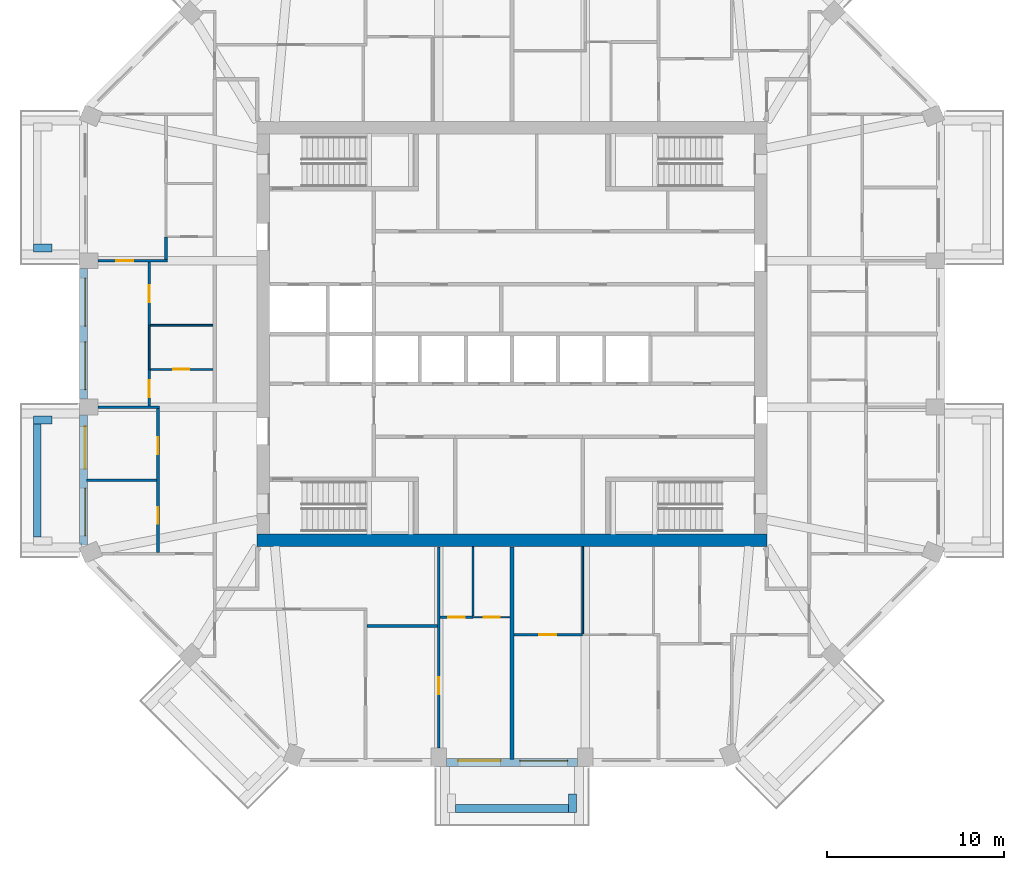
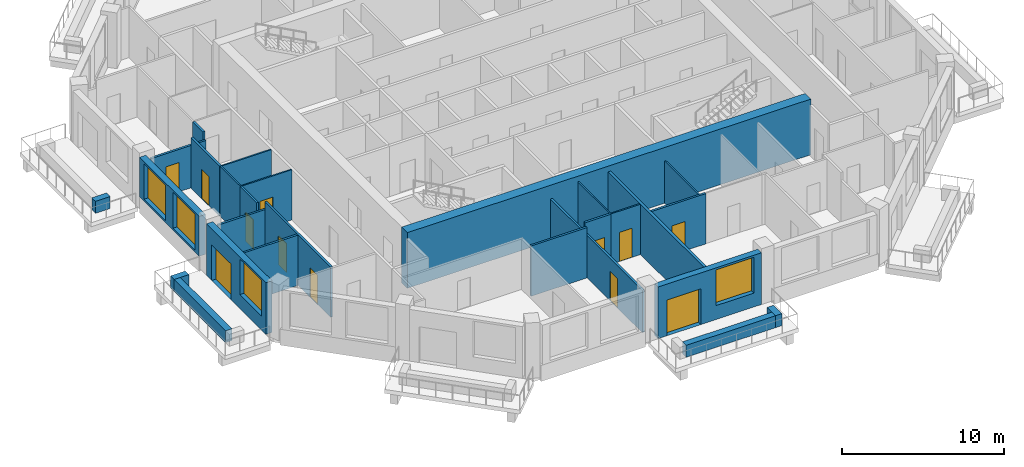
# One storey, part 3 of 12: 27 walls, 12 doors, 4 windows, 16 openings.
"""IFC4 building model written with IfcOpenShell, lengths in metres."""

import ifcopenshell
import ifcopenshell.guid

model = None  # the IFC model being written
_history = None  # IfcOwnerHistory: only IFC2X3 demands one
_inside = {}  # id of a spatial element -> (the spatial element, [elements in it])
_under = {}  # id of a project, library or spatial element -> (it, [spatial elements below it])
_declared = {}  # id of a project -> (the project, [libraries it declares])
_typed = {}  # id of a type object -> (the type object, [elements of that type])
_made_of = {}  # id of a material, layer set ... -> (it, [elements and type objects made of it])


def new_model(schema):
    """Start an empty IFC model of exactly this schema.

    Asked for "IFC4X3", IfcOpenShell would pick the latest addendum, in which some entities
    have other attributes; the version numbers below select the first issue.
    IFC2X3 requires an IfcOwnerHistory on every rooted entity: one is made here for all.
    """
    global model, _history
    if schema == "IFC4X3":
        model = ifcopenshell.file(schema_version=(4, 3, 0, 0))
    else:
        model = ifcopenshell.file(schema=schema)
    _inside.clear()
    _under.clear()
    _declared.clear()
    _typed.clear()
    _made_of.clear()
    _history = None
    if model.schema == "IFC2X3":
        org = make("IfcOrganization", Name="unknown")
        user = make(
            "IfcPersonAndOrganization",
            ThePerson=make("IfcPerson", FamilyName="unknown"),
            TheOrganization=org,
        )
        app = make(
            "IfcApplication",
            ApplicationDeveloper=org,
            Version="unknown",
            ApplicationFullName="unknown",
            ApplicationIdentifier="unknown",
        )
        _history = make(
            "IfcOwnerHistory",
            OwningUser=user,
            OwningApplication=app,
            ChangeAction="ADDED",
            CreationDate=0,
        )
    return model


def make(cls, **values):
    """One entity of the class cls with the attributes given. An attribute that is None is left unset."""
    return model.create_entity(
        cls, **{name: value for name, value in values.items() if value is not None}
    )


def rooted(cls, **values):
    """An entity with a GlobalId (a new one), such as an element, a storey or a relation."""
    return make(cls, GlobalId=ifcopenshell.guid.new(), OwnerHistory=_history, **values)


def si_unit(unit_type, name, prefix=None):
    """IfcSIUnit, for example si_unit("LENGTHUNIT", "METRE", prefix="MILLI")."""
    return make("IfcSIUnit", UnitType=unit_type, Prefix=prefix, Name=name)


def assignment(units):
    """IfcUnitAssignment: the units of a project."""
    return None if units is None else make("IfcUnitAssignment", Units=units)


def point(xyz):
    """IfcCartesianPoint."""
    return None if xyz is None else make("IfcCartesianPoint", Coordinates=xyz)


def direction(xyz):
    """IfcDirection."""
    return None if xyz is None else make("IfcDirection", DirectionRatios=xyz)


def frame(location, z_axis=None, x_axis=None):
    """IfcAxis2Placement3D, a coordinate frame: its origin and axes. An axis left out is left unset."""
    return make(
        "IfcAxis2Placement3D",
        Location=point(location),
        Axis=direction(z_axis),
        RefDirection=direction(x_axis),
    )


def frame_2d(location, x_axis=None):
    """IfcAxis2Placement2D, a coordinate frame in the plane: its origin and x axis."""
    return make(
        "IfcAxis2Placement2D", Location=point(location), RefDirection=direction(x_axis)
    )


def origin():
    """The frame at (0, 0, 0) with its axes left unset."""
    return frame((0.0, 0.0, 0.0))


def place(relative_to, where):
    """IfcLocalPlacement: puts the frame where relative to a parent placement (None: the world)."""
    return make(
        "IfcLocalPlacement", PlacementRelTo=relative_to, RelativePlacement=where
    )


def context(
    kind, dimensions, precision=None, world=None, true_north=None, identifier=None
):
    """IfcGeometricRepresentationContext, for example the 3D "Model" context."""
    return make(
        "IfcGeometricRepresentationContext",
        ContextIdentifier=identifier,
        ContextType=kind,
        CoordinateSpaceDimension=dimensions,
        Precision=precision,
        WorldCoordinateSystem=world,
        TrueNorth=true_north,
    )


def subcontext(parent, identifier, kind, view, scale=None):
    """IfcGeometricRepresentationSubContext, for example "Body" below "Model"."""
    return make(
        "IfcGeometricRepresentationSubContext",
        ContextIdentifier=identifier,
        ContextType=kind,
        ParentContext=parent,
        TargetScale=scale,
        TargetView=view,
    )


def project(units=None, contexts=None):
    """IfcProject with its units and contexts."""
    return rooted(
        "IfcProject",
        Name="project",
        RepresentationContexts=contexts,
        UnitsInContext=assignment(units),
    )


def spatial(cls, under=None, at=None, **own):
    """A site, building, storey or space (cls), placed at a placement, below another one or the project."""
    s = rooted(cls, ObjectPlacement=at, **own)
    if under is not None:
        _under.setdefault(under.id(), (under, []))[1].append(s)
    return s


def profile(cls, at=None, kind="AREA", **sizes):
    """A parametric profile (cls). Its sizes go by their IFC names, for example OverallWidth=200.0."""
    return make(cls, ProfileType=kind, Position=at, **sizes)


def rectangle(**sizes):
    """IfcRectangleProfileDef."""
    return profile("IfcRectangleProfileDef", **sizes)


def extrude(swept, where, along, depth):
    """IfcExtrudedAreaSolid: the profile swept, set in the frame where, extruded along a direction by depth."""
    return make(
        "IfcExtrudedAreaSolid",
        SweptArea=swept,
        Position=where,
        ExtrudedDirection=direction(along),
        Depth=depth,
    )


def shape(context_of_items, identifier, shape_type, items):
    """IfcShapeRepresentation: the items that make up one representation, for example the "Body"."""
    return make(
        "IfcShapeRepresentation",
        ContextOfItems=context_of_items,
        RepresentationIdentifier=identifier,
        RepresentationType=shape_type,
        Items=items,
    )


def material(Name=None, Category=None):
    """IfcMaterial."""
    return make("IfcMaterial", Name=Name, Category=Category)


def layer(
    of_material, thickness, ventilated=None, Name=None, Category=None, Priority=None
):
    """IfcMaterialLayer: one layer of a wall or slab, of a material (None: an air gap)."""
    return make(
        "IfcMaterialLayer",
        Material=of_material,
        LayerThickness=thickness,
        IsVentilated=ventilated,
        Name=Name,
        Category=Category,
        Priority=Priority,
    )


def layer_set(layers, Name=None):
    """IfcMaterialLayerSet."""
    return make("IfcMaterialLayerSet", MaterialLayers=layers, LayerSetName=Name)


def made_of(thing, what):
    """Note that an element or type object is made of a material, layer set ...; save() writes the relation."""
    if what is not None:
        _made_of.setdefault(what.id(), (what, []))[1].append(thing)
    return thing


def type_object(cls, material=None, **own):
    """A type object (cls), such as IfcWallType, which elements share."""
    return made_of(rooted(cls, **own), material)


def element(
    cls,
    number,
    at=None,
    inside=None,
    cuts=None,
    type_object=None,
    material=None,
    context=None,
    identifier="Body",
    shape_type=None,
    held_by="IfcProductDefinitionShape",
    body=None,
    shapes=None,
    **own,
):
    """One element of the class cls, such as IfcWall. Its Tag is "e" and its number.

    at: its placement. inside: the storey or other place that contains it. cuts: it is an
    opening in that element (IfcRelVoidsElement). A single representation is given by context,
    identifier, shape_type and body (its items); several are given by shapes. held_by: the class
    of the entity that holds the representations. save() writes the other relations.
    """
    e = rooted(cls, Tag="e%d" % number, ObjectPlacement=at, **own)
    if body is not None:
        shapes = [shape(context, identifier, shape_type, body)]
    if shapes is not None:
        e.Representation = make(held_by, Representations=shapes)
    if inside is not None:
        _inside.setdefault(inside.id(), (inside, []))[1].append(e)
    if cuts is not None:
        rooted(
            "IfcRelVoidsElement", RelatingBuildingElement=cuts, RelatedOpeningElement=e
        )
    if type_object is not None:
        _typed.setdefault(type_object.id(), (type_object, []))[1].append(e)
    return made_of(e, material)


def fill(opening, filler):
    """IfcRelFillsElement: the door or window that sits in an opening."""
    return rooted(
        "IfcRelFillsElement",
        RelatingOpeningElement=opening,
        RelatedBuildingElement=filler,
    )


def aggregate(whole, parts):
    """IfcRelAggregates: a whole, such as a stair, and the parts it consists of."""
    return rooted("IfcRelAggregates", RelatingObject=whole, RelatedObjects=parts)


def save(model, path):
    """Write the relations noted so far, then the file.

    IfcRelAggregates (storeys below a building ...), IfcRelContainedInSpatialStructure (elements
    in a storey), IfcRelDefinesByType, IfcRelAssociatesMaterial and IfcRelDeclares: one each for
    every whole, place, type object, material and project.
    """
    for whole, parts in _under.values():
        aggregate(whole, parts)
    for where, things in _inside.values():
        rooted(
            "IfcRelContainedInSpatialStructure",
            RelatedElements=things,
            RelatingStructure=where,
        )
    for kind, things in _typed.values():
        rooted("IfcRelDefinesByType", RelatedObjects=things, RelatingType=kind)
    for what, things in _made_of.values():
        rooted("IfcRelAssociatesMaterial", RelatedObjects=things, RelatingMaterial=what)
    for by, libraries in _declared.values():
        rooted("IfcRelDeclares", RelatingContext=by, RelatedDefinitions=libraries)
    model.write(path)


model = new_model("IFC4")

# Units and contexts
model_context = context("Model", 3, precision=1e-05, world=origin(), true_north=direction((0.0, 1.0)))
body_context = subcontext(model_context, "Body", "Model", "MODEL_VIEW")
ifc_project = project(units=[si_unit("LENGTHUNIT", "METRE"), si_unit("AREAUNIT", "SQUARE_METRE"), si_unit("VOLUMEUNIT", "CUBIC_METRE"), si_unit("PLANEANGLEUNIT", "RADIAN"), si_unit("MASSUNIT", "GRAM", prefix="KILO")], contexts=[model_context])

# Site, building, storey
site_placement = place(None, origin())
site = spatial("IfcSite", under=ifc_project, at=site_placement, CompositionType="ELEMENT")
building_placement = place(site_placement, origin())
building = spatial("IfcBuilding", under=site, at=building_placement, Name="Msitu Wima Residences", CompositionType="ELEMENT")
storey_placement = place(building_placement, frame((0.0, 0.0, 204.300048828125)))
storey = spatial("IfcBuildingStorey", under=building, at=storey_placement, Name="L47", CompositionType="ELEMENT", Elevation=204.300048828125)

# Walls
ifc_material_1 = material(Name="Facing brick")
ifc_layer_1 = layer(ifc_material_1, 0.06494140625, Name="Facing brick")
ifc_material_2 = material(Name="Concrete C40/50", Category="concrete")
ifc_layer_2 = layer(ifc_material_2, 0.156005859375, Name="Concrete C40/50")
ifc_material_3 = material(Name="Waterproofing membrane")
ifc_layer_3 = layer(ifc_material_3, 0.00390625, Name="Waterproofing membrane")
ifc_material_4 = material(Name="Planting soil and planting")
ifc_layer_4 = layer(ifc_material_4, 0.22509765625, Name="Planting soil and planting")
ifc_layer_set_1 = layer_set([ifc_layer_1, ifc_layer_2, ifc_layer_3, ifc_layer_4], Name="Concrete C40/50")
wall_type_1 = type_object("IfcWallType", Name="Balcony planter PLANTER PL450", PredefinedType="USERDEFINED", material=ifc_layer_set_1)
wall_1_placement = place(storey_placement, frame((-26.0, 4.8623046875, 0.0), z_axis=(0.0, 0.0, 1.0), x_axis=(-1.0, 0.0, 0.0)))
element("IfcWall", 1, at=wall_1_placement, inside=storey, type_object=wall_type_1, Name="Balcony planter W0 L47", ObjectType="PLANTER", PredefinedType="USERDEFINED", context=body_context, shape_type="SweptSolid", body=[
    extrude(rectangle(XDim=1.050048828125, YDim=0.449951171875, at=frame_2d((0.52490234375, 0.0))), origin(), (0.0, 0.0, 1.0), 0.89990234375),
])
wall_2_placement = place(storey_placement, frame((-26.824951171875, -5.087158203125, 0.0), z_axis=(0.0, 0.0, 1.0), x_axis=(0.0, -1.0, 0.0)))
element("IfcWall", 2, at=wall_2_placement, inside=storey, type_object=wall_type_1, Name="Balcony planter W2 L47", ObjectType="PLANTER", PredefinedType="USERDEFINED", context=body_context, shape_type="SweptSolid", body=[
    extrude(rectangle(XDim=6.37451171875, YDim=0.449951171875, at=frame_2d((3.187255859375, 0.0))), origin(), (0.0, 0.0, 1.0), 0.89990234375),
])
wall_3_placement = place(storey_placement, frame((-26.0, -4.8623046875, 0.0), z_axis=(0.0, 0.0, 1.0), x_axis=(-1.0, 0.0, 0.0)))
element("IfcWall", 3, at=wall_3_placement, inside=storey, type_object=wall_type_1, Name="Balcony planter W2 L47", ObjectType="PLANTER", PredefinedType="USERDEFINED", context=body_context, shape_type="SweptSolid", body=[
    extrude(rectangle(XDim=1.050048828125, YDim=0.449951171875, at=frame_2d((0.52490234375, 0.0))), origin(), (0.0, 0.0, 1.0), 0.89990234375),
])
wall_4_placement = place(storey_placement, frame((-3.187255859375, -26.824951171875, 0.0), z_axis=(0.0, 0.0, 1.0), x_axis=(1.0, 0.0, 0.0)))
element("IfcWall", 4, at=wall_4_placement, inside=storey, type_object=wall_type_1, Name="Balcony planter S1 L47", ObjectType="PLANTER", PredefinedType="USERDEFINED", context=body_context, shape_type="SweptSolid", body=[
    extrude(rectangle(XDim=6.37451171875, YDim=0.449951171875, at=frame_2d((3.187255859375, 0.0))), origin(), (0.0, 0.0, 1.0), 0.89990234375),
])
wall_5_placement = place(storey_placement, frame((3.412353515625, -26.0, 0.0), z_axis=(0.0, 0.0, 1.0), x_axis=(0.0, -1.0, 0.0)))
element("IfcWall", 5, at=wall_5_placement, inside=storey, type_object=wall_type_1, Name="Balcony planter S1 L47", ObjectType="PLANTER", PredefinedType="USERDEFINED", context=body_context, shape_type="SweptSolid", body=[
    extrude(rectangle(XDim=1.050048828125, YDim=0.449951171875, at=frame_2d((0.52490234375, 0.0))), origin(), (0.0, 0.0, 1.0), 0.89990234375),
])

# Wall, openings, windows
ifc_material_5 = material(Name="Brick (red buff mix)", Category="masonry")
ifc_layer_5 = layer(ifc_material_5, 0.449951171875)
ifc_layer_set_2 = layer_set([ifc_layer_5], Name="Brick (red buff mix)")
wall_type_2 = type_object("IfcWallType", Name="Brick infill wall BW450", PredefinedType="SOLIDWALL", material=ifc_layer_set_2)
wall_6_placement = place(storey_placement, frame((-24.22509765625, 3.687255859375, 0.89990234375), z_axis=(0.0, 0.0, 1.0), x_axis=(0.0, -1.0, 0.0)))
wall_6 = element("IfcWall", 6, at=wall_6_placement, inside=storey, type_object=wall_type_2, Name="Brick infill wall L47 W1", PredefinedType="SOLIDWALL", context=body_context, shape_type="SweptSolid", body=[
    extrude(rectangle(XDim=7.37451171875, YDim=0.449951171875, at=frame_2d((3.687255859375, 0.0))), origin(), (0.0, 0.0, 1.0), 3.0),
])
opening_1_placement = place(wall_6_placement, frame((0.537353515625, 0.0, 0.14990234375)))
opening_1 = element("IfcOpeningElement", 7, at=opening_1_placement, cuts=wall_6, Name="Opening W47.028", PredefinedType="OPENING", context=body_context, shape_type="SweptSolid", body=[
    extrude(rectangle(XDim=2.699951171875, YDim=2.699951171875, at=frame_2d((1.35009765625, 1.35009765625))), frame((0.0, 0.23486328125, 0.0), z_axis=(0.0, -1.0, 0.0), x_axis=(1.0, 0.0, 0.0)), (0.0, 0.0, 1.0), 0.469970703125),
])
opening_2_placement = place(wall_6_placement, frame((4.13720703125, 0.0, 0.14990234375)))
opening_2 = element("IfcOpeningElement", 8, at=opening_2_placement, cuts=wall_6, Name="Opening W47.029", PredefinedType="OPENING", context=body_context, shape_type="SweptSolid", body=[
    extrude(rectangle(XDim=2.699951171875, YDim=2.699951171875, at=frame_2d((1.35009765625, 1.35009765625))), frame((0.0, 0.23486328125, 0.0), z_axis=(0.0, -1.0, 0.0), x_axis=(1.0, 0.0, 0.0)), (0.0, 0.0, 1.0), 0.469970703125),
])
ifc_material_6 = material(Name="Anodised aluminium, bronze finish, clear low-emissivity double glazing", Category="aluminium")
window_type = type_object("IfcWindowType", Name="Window W2700x2700", PartitioningType="DOUBLE_PANEL_VERTICAL", PredefinedType="WINDOW", material=ifc_material_6)
window_1_placement = place(opening_1_placement, origin())
window_1 = element("IfcWindow", 9, at=window_1_placement, inside=storey, type_object=window_type, Name="Window L47 W1.1", OverallHeight=2.699951171875, OverallWidth=2.699951171875, PartitioningType="SINGLE_PANEL", PredefinedType="WINDOW", context=body_context, shape_type="SweptSolid", body=[
    extrude(rectangle(XDim=2.699951171875, YDim=2.699951171875, at=frame_2d((1.35009765625, 1.35009765625))), frame((0.0, 0.135009765625, 0.0), z_axis=(0.0, -1.0, 0.0), x_axis=(1.0, 0.0, 0.0)), (0.0, 0.0, 1.0), 0.06005859375),
])
fill(opening_1, window_1)
window_2_placement = place(opening_2_placement, origin())
window_2 = element("IfcWindow", 10, at=window_2_placement, inside=storey, type_object=window_type, Name="Window L47 W1.2", OverallHeight=2.699951171875, OverallWidth=2.699951171875, PartitioningType="SINGLE_PANEL", PredefinedType="WINDOW", context=body_context, shape_type="SweptSolid", body=[
    extrude(rectangle(XDim=2.699951171875, YDim=2.699951171875, at=frame_2d((1.35009765625, 1.35009765625))), frame((0.0, 0.135009765625, 0.0), z_axis=(0.0, -1.0, 0.0), x_axis=(1.0, 0.0, 0.0)), (0.0, 0.0, 1.0), 0.06005859375),
])
fill(opening_2, window_2)

# Wall, openings, door, window
wall_7_placement = place(storey_placement, frame((-24.22509765625, -4.587158203125, 0.0), z_axis=(0.0, 0.0, 1.0), x_axis=(0.0, -1.0, 0.0)))
wall_7 = element("IfcWall", 11, at=wall_7_placement, inside=storey, type_object=wall_type_2, Name="Brick infill wall L47 W2", PredefinedType="SOLIDWALL", context=body_context, shape_type="SweptSolid", body=[
    extrude(rectangle(XDim=7.337646484375, YDim=0.449951171875, at=frame_2d((3.6689453125, 0.0))), origin(), (0.0, 0.0, 1.0), 3.89990234375),
])
opening_3_placement = place(wall_7_placement, frame((0.63427734375, 0.0, 0.0)))
opening_3 = element("IfcOpeningElement", 12, at=opening_3_placement, cuts=wall_7, Name="Opening D47.010", PredefinedType="OPENING", context=body_context, shape_type="SweptSolid", body=[
    extrude(rectangle(XDim=2.39990234375, YDim=2.699951171875, at=frame_2d((1.199951171875, 1.35009765625))), frame((0.0, 0.23486328125, 0.0), z_axis=(0.0, -1.0, 0.0), x_axis=(1.0, 0.0, 0.0)), (0.0, 0.0, 1.0), 0.469970703125),
])
opening_4_placement = place(wall_7_placement, frame((4.11865234375, 0.0, 1.050048828125)))
opening_4 = element("IfcOpeningElement", 13, at=opening_4_placement, cuts=wall_7, Name="Opening W47.030", PredefinedType="OPENING", context=body_context, shape_type="SweptSolid", body=[
    extrude(rectangle(XDim=2.699951171875, YDim=2.699951171875, at=frame_2d((1.35009765625, 1.35009765625))), frame((0.0, 0.23486328125, 0.0), z_axis=(0.0, -1.0, 0.0), x_axis=(1.0, 0.0, 0.0)), (0.0, 0.0, 1.0), 0.469970703125),
])
door_type_1 = type_object("IfcDoorType", Name="Balcony door D2400x2700", OperationType="SLIDING_TO_LEFT", PredefinedType="DOOR", material=ifc_material_6)
door_1_placement = place(opening_3_placement, origin())
door_1 = element("IfcDoor", 14, at=door_1_placement, inside=storey, type_object=door_type_1, Name="Balcony door L47 W2", OperationType="SINGLE_SWING_LEFT", OverallHeight=2.699951171875, OverallWidth=2.39990234375, PredefinedType="DOOR", context=body_context, shape_type="SweptSolid", body=[
    extrude(rectangle(XDim=2.39990234375, YDim=2.699951171875, at=frame_2d((1.199951171875, 1.35009765625))), frame((0.0, 0.1298828125, 0.0), z_axis=(0.0, -1.0, 0.0), x_axis=(1.0, 0.0, 0.0)), (0.0, 0.0, 1.0), 0.050048828125),
])
fill(opening_3, door_1)
window_3_placement = place(opening_4_placement, origin())
window_3 = element("IfcWindow", 15, at=window_3_placement, inside=storey, type_object=window_type, Name="Window L47 W2.2", OverallHeight=2.699951171875, OverallWidth=2.699951171875, PartitioningType="SINGLE_PANEL", PredefinedType="WINDOW", context=body_context, shape_type="SweptSolid", body=[
    extrude(rectangle(XDim=2.699951171875, YDim=2.699951171875, at=frame_2d((1.35009765625, 1.35009765625))), frame((0.0, 0.135009765625, 0.0), z_axis=(0.0, -1.0, 0.0), x_axis=(1.0, 0.0, 0.0)), (0.0, 0.0, 1.0), 0.06005859375),
])
fill(opening_4, window_3)

wall_8_placement = place(storey_placement, frame((-3.687255859375, -24.22509765625, 0.0), z_axis=(0.0, 0.0, 1.0), x_axis=(1.0, 0.0, 0.0)))
wall_8 = element("IfcWall", 16, at=wall_8_placement, inside=storey, type_object=wall_type_2, Name="Brick infill wall L47 S1", PredefinedType="SOLIDWALL", context=body_context, shape_type="SweptSolid", body=[
    extrude(rectangle(XDim=7.37451171875, YDim=0.449951171875, at=frame_2d((3.687255859375, 0.0))), origin(), (0.0, 0.0, 1.0), 3.89990234375),
])
opening_5_placement = place(wall_8_placement, frame((0.6435546875, 0.0, 0.0)))
opening_5 = element("IfcOpeningElement", 17, at=opening_5_placement, cuts=wall_8, Name="Opening D47.006", PredefinedType="OPENING", context=body_context, shape_type="SweptSolid", body=[
    extrude(rectangle(XDim=2.39990234375, YDim=2.699951171875, at=frame_2d((1.199951171875, 1.35009765625))), frame((0.0, 0.23486328125, 0.0), z_axis=(0.0, -1.0, 0.0), x_axis=(1.0, 0.0, 0.0)), (0.0, 0.0, 1.0), 0.469970703125),
])
opening_6_placement = place(wall_8_placement, frame((4.13720703125, 0.0, 1.050048828125)))
opening_6 = element("IfcOpeningElement", 18, at=opening_6_placement, cuts=wall_8, Name="Opening W47.018", PredefinedType="OPENING", context=body_context, shape_type="SweptSolid", body=[
    extrude(rectangle(XDim=2.699951171875, YDim=2.699951171875, at=frame_2d((1.35009765625, 1.35009765625))), frame((0.0, 0.23486328125, 0.0), z_axis=(0.0, -1.0, 0.0), x_axis=(1.0, 0.0, 0.0)), (0.0, 0.0, 1.0), 0.469970703125),
])
door_2_placement = place(opening_5_placement, origin())
door_2 = element("IfcDoor", 19, at=door_2_placement, inside=storey, type_object=door_type_1, Name="Balcony door L47 S1", OperationType="SINGLE_SWING_LEFT", OverallHeight=2.699951171875, OverallWidth=2.39990234375, PredefinedType="DOOR", context=body_context, shape_type="SweptSolid", body=[
    extrude(rectangle(XDim=2.39990234375, YDim=2.699951171875, at=frame_2d((1.199951171875, 1.35009765625))), frame((0.0, 0.1298828125, 0.0), z_axis=(0.0, -1.0, 0.0), x_axis=(1.0, 0.0, 0.0)), (0.0, 0.0, 1.0), 0.050048828125),
])
fill(opening_5, door_2)
window_4_placement = place(opening_6_placement, origin())
window_4 = element("IfcWindow", 20, at=window_4_placement, inside=storey, type_object=window_type, Name="Window L47 S1.2", OverallHeight=2.699951171875, OverallWidth=2.699951171875, PartitioningType="SINGLE_PANEL", PredefinedType="WINDOW", context=body_context, shape_type="SweptSolid", body=[
    extrude(rectangle(XDim=2.699951171875, YDim=2.699951171875, at=frame_2d((1.35009765625, 1.35009765625))), frame((0.0, 0.135009765625, 0.0), z_axis=(0.0, -1.0, 0.0), x_axis=(1.0, 0.0, 0.0)), (0.0, 0.0, 1.0), 0.06005859375),
])
fill(opening_6, window_4)

# Walls
ifc_material_7 = material(Name="Concrete C60/75", Category="concrete")
ifc_layer_6 = layer(ifc_material_7, 0.699951171875)
ifc_layer_set_3 = layer_set([ifc_layer_6], Name="Concrete C60/75")
wall_type_3 = type_object("IfcWallType", Name="Core wall CW700 C60/75", PredefinedType="SHEAR", material=ifc_layer_set_3)
wall_9_placement = place(storey_placement, frame((-14.39990234375, -11.64990234375, 0.0), z_axis=(0.0, 0.0, 1.0), x_axis=(1.0, 0.0, 0.0)))
element("IfcWall", 21, at=wall_9_placement, inside=storey, type_object=wall_type_3, Name="Core wall", PredefinedType="SHEAR", context=body_context, shape_type="SweptSolid", body=[
    extrude(rectangle(XDim=28.7998046875, YDim=0.699951171875, at=frame_2d((14.39990234375, 0.0))), origin(), (0.0, 0.0, 1.0), 4.199951171875),
])
ifc_material_8 = material(Name="Plaster")
ifc_layer_7 = layer(ifc_material_8, 0.011962890625, Name="Plaster")
ifc_material_9 = material(Name="Concrete blockwork", Category="masonry")
ifc_layer_8 = layer(ifc_material_9, 0.1259765625, Name="Concrete blockwork")
ifc_layer_9 = layer(ifc_material_8, 0.011962890625, Name="Plaster")
ifc_layer_set_4 = layer_set([ifc_layer_7, ifc_layer_8, ifc_layer_9], Name="Concrete blockwork")
wall_type_4 = type_object("IfcWallType", Name="Partition PW150", PredefinedType="PARTITIONING", material=ifc_layer_set_4)
wall_10_placement = place(storey_placement, frame((-24.054931640625, -8.27001953125, 0.0), z_axis=(0.0, 0.0, 1.0), x_axis=(1.0, 0.0, 0.0)))
element("IfcWall", 22, at=wall_10_placement, inside=storey, type_object=wall_type_4, Name="Partition", PredefinedType="PARTITIONING", context=body_context, shape_type="SweptSolid", body=[
    extrude(rectangle(XDim=3.97998046875, YDim=0.14990234375, at=frame_2d((1.989990234375, 0.0))), origin(), (0.0, 0.0, 1.0), 3.7978515625),
])
wall_11_placement = place(storey_placement, frame((-23.39990234375, -4.139892578125, 0.0), z_axis=(0.0, 0.0, 1.0), x_axis=(1.0, 0.0, 0.0)))
element("IfcWall", 23, at=wall_11_placement, inside=storey, type_object=wall_type_4, Name="Partition", PredefinedType="PARTITIONING", context=body_context, shape_type="SweptSolid", body=[
    extrude(rectangle(XDim=3.474853515625, YDim=0.14990234375, at=frame_2d((1.7373046875, 0.0))), origin(), (0.0, 0.0, 1.0), 3.199951171875),
])

# Wall, opening, door
wall_12_placement = place(storey_placement, frame((-23.39990234375, 4.139892578125, 0.0), z_axis=(0.0, 0.0, 1.0), x_axis=(1.0, 0.0, 0.0)))
wall_12 = element("IfcWall", 24, at=wall_12_placement, inside=storey, type_object=wall_type_4, Name="Partition", PredefinedType="PARTITIONING", context=body_context, shape_type="SweptSolid", body=[
    extrude(rectangle(XDim=3.9248046875, YDim=0.14990234375, at=frame_2d((1.96240234375, 0.0))), origin(), (0.0, 0.0, 1.0), 3.199951171875),
])
opening_7_placement = place(wall_12_placement, frame((1.050048828125, 0.0, 0.0)))
opening_7 = element("IfcOpeningElement", 25, at=opening_7_placement, cuts=wall_12, Name="Opening D47.042", PredefinedType="OPENING", context=body_context, shape_type="SweptSolid", body=[
    extrude(rectangle(XDim=0.949951171875, YDim=2.199951171875, at=frame_2d((0.47509765625, 1.10009765625))), frame((0.0, 0.0849609375, 0.0), z_axis=(0.0, -1.0, 0.0), x_axis=(1.0, 0.0, 0.0)), (0.0, 0.0, 1.0), 0.169921875),
])
ifc_material_10 = material(Name="Timber flush door", Category="wood")
door_type_2 = type_object("IfcDoorType", Name="Room door D12 950x2200", OperationType="SINGLE_SWING_LEFT", PredefinedType="DOOR", material=ifc_material_10)
door_3_placement = place(opening_7_placement, origin())
door_3 = element("IfcDoor", 26, at=door_3_placement, inside=storey, type_object=door_type_2, Name="Room door", OperationType="SINGLE_SWING_LEFT", OverallHeight=2.199951171875, OverallWidth=0.949951171875, PredefinedType="DOOR", context=body_context, shape_type="SweptSolid", body=[
    extrude(rectangle(XDim=0.949951171875, YDim=2.199951171875, at=frame_2d((0.47509765625, 1.10009765625))), frame((0.0, 0.02490234375, 0.0), z_axis=(0.0, -1.0, 0.0), x_axis=(1.0, 0.0, 0.0)), (0.0, 0.0, 1.0), 0.050048828125),
])
fill(opening_7, door_3)

wall_13_placement = place(storey_placement, frame((-20.5, -4.06494140625, 0.0), z_axis=(0.0, 0.0, 1.0), x_axis=(0.0, 1.0, 0.0)))
wall_13 = element("IfcWall", 27, at=wall_13_placement, inside=storey, type_object=wall_type_4, Name="Partition", PredefinedType="PARTITIONING", context=body_context, shape_type="SweptSolid", body=[
    extrude(rectangle(XDim=2.044921875, YDim=0.14990234375, at=frame_2d((1.0224609375, 0.0))), origin(), (0.0, 0.0, 1.0), 3.7978515625),
])
opening_8_placement = place(wall_13_placement, frame((0.5, 0.0, 0.0)))
opening_8 = element("IfcOpeningElement", 28, at=opening_8_placement, cuts=wall_13, Name="Opening D47.041", PredefinedType="OPENING", context=body_context, shape_type="SweptSolid", body=[
    extrude(rectangle(XDim=0.949951171875, YDim=2.199951171875, at=frame_2d((0.47509765625, 1.10009765625))), frame((0.0, 0.0849609375, 0.0), z_axis=(0.0, -1.0, 0.0), x_axis=(1.0, 0.0, 0.0)), (0.0, 0.0, 1.0), 0.169921875),
])
door_4_placement = place(opening_8_placement, origin())
door_4 = element("IfcDoor", 29, at=door_4_placement, inside=storey, type_object=door_type_2, Name="Room door", OperationType="SINGLE_SWING_LEFT", OverallHeight=2.199951171875, OverallWidth=0.949951171875, PredefinedType="DOOR", context=body_context, shape_type="SweptSolid", body=[
    extrude(rectangle(XDim=0.949951171875, YDim=2.199951171875, at=frame_2d((0.47509765625, 1.10009765625))), frame((0.0, 0.02490234375, 0.0), z_axis=(0.0, -1.0, 0.0), x_axis=(1.0, 0.0, 0.0)), (0.0, 0.0, 1.0), 0.050048828125),
])
fill(opening_8, door_4)

wall_14_placement = place(storey_placement, frame((-20.5, 0.5, 0.0), z_axis=(0.0, 0.0, 1.0), x_axis=(0.0, 1.0, 0.0)))
wall_14 = element("IfcWall", 30, at=wall_14_placement, inside=storey, type_object=wall_type_4, Name="Partition", PredefinedType="PARTITIONING", context=body_context, shape_type="SweptSolid", body=[
    extrude(rectangle(XDim=3.56494140625, YDim=0.14990234375, at=frame_2d((1.782470703125, 0.0))), origin(), (0.0, 0.0, 1.0), 3.7978515625),
])
opening_9_placement = place(wall_14_placement, frame((1.300048828125, 0.0, 0.0)))
opening_9 = element("IfcOpeningElement", 31, at=opening_9_placement, cuts=wall_14, Name="Opening D47.027", PredefinedType="OPENING", context=body_context, shape_type="SweptSolid", body=[
    extrude(rectangle(XDim=0.949951171875, YDim=2.199951171875, at=frame_2d((0.47509765625, 1.10009765625))), frame((0.0, 0.0849609375, 0.0), z_axis=(0.0, -1.0, 0.0), x_axis=(1.0, 0.0, 0.0)), (0.0, 0.0, 1.0), 0.169921875),
])
door_5_placement = place(opening_9_placement, origin())
door_5 = element("IfcDoor", 32, at=door_5_placement, inside=storey, type_object=door_type_2, Name="Room door", OperationType="SINGLE_SWING_RIGHT", OverallHeight=2.199951171875, OverallWidth=0.949951171875, PredefinedType="DOOR", context=body_context, shape_type="SweptSolid", body=[
    extrude(rectangle(XDim=0.949951171875, YDim=2.199951171875, at=frame_2d((0.47509765625, 1.10009765625))), frame((0.0, 0.02490234375, 0.0), z_axis=(0.0, -1.0, 0.0), x_axis=(1.0, 0.0, 0.0)), (0.0, 0.0, 1.0), 0.050048828125),
])
fill(opening_9, door_5)

# Wall, openings, doors
wall_15_placement = place(storey_placement, frame((-20.0, -12.3349609375, 0.0), z_axis=(0.0, 0.0, 1.0), x_axis=(0.0, 1.0, 0.0)))
wall_15 = element("IfcWall", 33, at=wall_15_placement, inside=storey, type_object=wall_type_4, Name="Partition", PredefinedType="PARTITIONING", context=body_context, shape_type="SweptSolid", body=[
    extrude(rectangle(XDim=8.119873046875, YDim=0.14990234375, at=frame_2d((4.06005859375, 0.0))), origin(), (0.0, 0.0, 1.0), 3.7978515625),
])
opening_10_placement = place(wall_15_placement, frame((1.60009765625, 0.0, 0.0)))
opening_10 = element("IfcOpeningElement", 34, at=opening_10_placement, cuts=wall_15, Name="Opening D47.039", PredefinedType="OPENING", context=body_context, shape_type="SweptSolid", body=[
    extrude(rectangle(XDim=0.949951171875, YDim=2.199951171875, at=frame_2d((0.47509765625, 1.10009765625))), frame((0.0, 0.0849609375, 0.0), z_axis=(0.0, -1.0, 0.0), x_axis=(1.0, 0.0, 0.0)), (0.0, 0.0, 1.0), 0.169921875),
])
opening_11_placement = place(wall_15_placement, frame((5.550048828125, 0.0, 0.0)))
opening_11 = element("IfcOpeningElement", 35, at=opening_11_placement, cuts=wall_15, Name="Opening D47.040", PredefinedType="OPENING", context=body_context, shape_type="SweptSolid", body=[
    extrude(rectangle(XDim=0.949951171875, YDim=2.199951171875, at=frame_2d((0.47509765625, 1.10009765625))), frame((0.0, 0.0849609375, 0.0), z_axis=(0.0, -1.0, 0.0), x_axis=(1.0, 0.0, 0.0)), (0.0, 0.0, 1.0), 0.169921875),
])
door_6_placement = place(opening_10_placement, origin())
door_6 = element("IfcDoor", 36, at=door_6_placement, inside=storey, type_object=door_type_2, Name="Room door", OperationType="SINGLE_SWING_RIGHT", OverallHeight=2.199951171875, OverallWidth=0.949951171875, PredefinedType="DOOR", context=body_context, shape_type="SweptSolid", body=[
    extrude(rectangle(XDim=0.949951171875, YDim=2.199951171875, at=frame_2d((0.47509765625, 1.10009765625))), frame((0.0, 0.02490234375, 0.0), z_axis=(0.0, -1.0, 0.0), x_axis=(1.0, 0.0, 0.0)), (0.0, 0.0, 1.0), 0.050048828125),
])
fill(opening_10, door_6)
door_7_placement = place(opening_11_placement, origin())
door_7 = element("IfcDoor", 37, at=door_7_placement, inside=storey, type_object=door_type_2, Name="Room door", OperationType="SINGLE_SWING_LEFT", OverallHeight=2.199951171875, OverallWidth=0.949951171875, PredefinedType="DOOR", context=body_context, shape_type="SweptSolid", body=[
    extrude(rectangle(XDim=0.949951171875, YDim=2.199951171875, at=frame_2d((0.47509765625, 1.10009765625))), frame((0.0, 0.02490234375, 0.0), z_axis=(0.0, -1.0, 0.0), x_axis=(1.0, 0.0, 0.0)), (0.0, 0.0, 1.0), 0.050048828125),
])
fill(opening_11, door_7)

# Walls
wall_16_placement = place(storey_placement, frame((-19.550048828125, 4.215087890625, 0.0), z_axis=(0.0, 0.0, 1.0), x_axis=(0.0, 1.0, 0.0)))
element("IfcWall", 38, at=wall_16_placement, inside=storey, type_object=wall_type_4, Name="Partition", PredefinedType="PARTITIONING", context=body_context, shape_type="SweptSolid", body=[
    extrude(rectangle(XDim=1.264892578125, YDim=0.14990234375, at=frame_2d((0.63232421875, 0.0))), origin(), (0.0, 0.0, 1.0), 3.7978515625),
])
wall_17_placement = place(storey_placement, frame((-8.199462890625, -16.5, 0.0), z_axis=(0.0, 0.0, 1.0), x_axis=(1.0, 0.0, 0.0)))
element("IfcWall", 39, at=wall_17_placement, inside=storey, type_object=wall_type_4, Name="Partition", PredefinedType="PARTITIONING", context=body_context, shape_type="SweptSolid", body=[
    extrude(rectangle(XDim=3.9873046875, YDim=0.14990234375, at=frame_2d((1.99365234375, 0.0))), origin(), (0.0, 0.0, 1.0), 3.7978515625),
])

# Wall, opening, door
wall_18_placement = place(storey_placement, frame((-4.13720703125, -23.39990234375, 0.0), z_axis=(0.0, 0.0, 1.0), x_axis=(0.0, 1.0, 0.0)))
wall_18 = element("IfcWall", 40, at=wall_18_placement, inside=storey, type_object=wall_type_4, Name="Partition", PredefinedType="PARTITIONING", context=body_context, shape_type="SweptSolid", body=[
    extrude(rectangle(XDim=11.369873046875, YDim=0.14990234375, at=frame_2d((5.68505859375, 0.0))), origin(), (0.0, 0.0, 1.0), 3.199951171875),
])
opening_12_placement = place(wall_18_placement, frame((3.050048828125, 0.0, 0.0)))
opening_12 = element("IfcOpeningElement", 41, at=opening_12_placement, cuts=wall_18, Name="Opening D47.033", PredefinedType="OPENING", context=body_context, shape_type="SweptSolid", body=[
    extrude(rectangle(XDim=0.949951171875, YDim=2.199951171875, at=frame_2d((0.47509765625, 1.10009765625))), frame((0.0, 0.0849609375, 0.0), z_axis=(0.0, -1.0, 0.0), x_axis=(1.0, 0.0, 0.0)), (0.0, 0.0, 1.0), 0.169921875),
])
door_8_placement = place(opening_12_placement, origin())
door_8 = element("IfcDoor", 42, at=door_8_placement, inside=storey, type_object=door_type_2, Name="Room door", OperationType="SINGLE_SWING_RIGHT", OverallHeight=2.199951171875, OverallWidth=0.949951171875, PredefinedType="DOOR", context=body_context, shape_type="SweptSolid", body=[
    extrude(rectangle(XDim=0.949951171875, YDim=2.199951171875, at=frame_2d((0.47509765625, 1.10009765625))), frame((0.0, 0.02490234375, 0.0), z_axis=(0.0, -1.0, 0.0), x_axis=(1.0, 0.0, 0.0)), (0.0, 0.0, 1.0), 0.050048828125),
])
fill(opening_12, door_8)

wall_19_placement = place(storey_placement, frame((-4.062255859375, -16.0, 0.0), z_axis=(0.0, 0.0, 1.0), x_axis=(1.0, 0.0, 0.0)))
wall_19 = element("IfcWall", 43, at=wall_19_placement, inside=storey, type_object=wall_type_4, Name="Partition", PredefinedType="PARTITIONING", context=body_context, shape_type="SweptSolid", body=[
    extrude(rectangle(XDim=1.8623046875, YDim=0.14990234375, at=frame_2d((0.93115234375, 0.0))), origin(), (0.0, 0.0, 1.0), 3.7978515625),
])
opening_13_placement = place(wall_19_placement, frame((0.449951171875, 0.0, 0.0)))
opening_13 = element("IfcOpeningElement", 44, at=opening_13_placement, cuts=wall_19, Name="Opening D47.038", PredefinedType="OPENING", context=body_context, shape_type="SweptSolid", body=[
    extrude(rectangle(XDim=0.949951171875, YDim=2.199951171875, at=frame_2d((0.47509765625, 1.10009765625))), frame((0.0, 0.0849609375, 0.0), z_axis=(0.0, -1.0, 0.0), x_axis=(1.0, 0.0, 0.0)), (0.0, 0.0, 1.0), 0.169921875),
])
door_9_placement = place(opening_13_placement, origin())
door_9 = element("IfcDoor", 45, at=door_9_placement, inside=storey, type_object=door_type_2, Name="Room door", OperationType="SINGLE_SWING_RIGHT", OverallHeight=2.199951171875, OverallWidth=0.949951171875, PredefinedType="DOOR", context=body_context, shape_type="SweptSolid", body=[
    extrude(rectangle(XDim=0.949951171875, YDim=2.199951171875, at=frame_2d((0.47509765625, 1.10009765625))), frame((0.0, 0.02490234375, 0.0), z_axis=(0.0, -1.0, 0.0), x_axis=(1.0, 0.0, 0.0)), (0.0, 0.0, 1.0), 0.050048828125),
])
fill(opening_13, door_9)

wall_20_placement = place(storey_placement, frame((0.10009765625, -17.0, 0.0), z_axis=(0.0, 0.0, 1.0), x_axis=(1.0, 0.0, 0.0)))
wall_20 = element("IfcWall", 46, at=wall_20_placement, inside=storey, type_object=wall_type_4, Name="Partition", PredefinedType="PARTITIONING", context=body_context, shape_type="SweptSolid", body=[
    extrude(rectangle(XDim=3.8798828125, YDim=0.14990234375, at=frame_2d((1.93994140625, 0.0))), origin(), (0.0, 0.0, 1.0), 3.7978515625),
])
opening_14_placement = place(wall_20_placement, frame((1.449951171875, 0.0, 0.0)))
opening_14 = element("IfcOpeningElement", 47, at=opening_14_placement, cuts=wall_20, Name="Opening D47.048", PredefinedType="OPENING", context=body_context, shape_type="SweptSolid", body=[
    extrude(rectangle(XDim=0.949951171875, YDim=2.199951171875, at=frame_2d((0.47509765625, 1.10009765625))), frame((0.0, 0.0849609375, 0.0), z_axis=(0.0, -1.0, 0.0), x_axis=(1.0, 0.0, 0.0)), (0.0, 0.0, 1.0), 0.169921875),
])
door_10_placement = place(opening_14_placement, origin())
door_10 = element("IfcDoor", 48, at=door_10_placement, inside=storey, type_object=door_type_2, Name="Room door", OperationType="SINGLE_SWING_RIGHT", OverallHeight=2.199951171875, OverallWidth=0.949951171875, PredefinedType="DOOR", context=body_context, shape_type="SweptSolid", body=[
    extrude(rectangle(XDim=0.949951171875, YDim=2.199951171875, at=frame_2d((0.47509765625, 1.10009765625))), frame((0.0, 0.02490234375, 0.0), z_axis=(0.0, -1.0, 0.0), x_axis=(1.0, 0.0, 0.0)), (0.0, 0.0, 1.0), 0.050048828125),
])
fill(opening_14, door_10)

# Walls
ifc_layer_10 = layer(ifc_material_8, 0.011962890625, Name="Plaster")
ifc_material_11 = material(Name="Dense concrete blockwork", Category="masonry")
ifc_layer_11 = layer(ifc_material_11, 0.176025390625, Name="Dense concrete blockwork")
ifc_layer_12 = layer(ifc_material_8, 0.011962890625, Name="Plaster")
ifc_layer_set_5 = layer_set([ifc_layer_10, ifc_layer_11, ifc_layer_12], Name="Dense concrete blockwork")
wall_type_5 = type_object("IfcWallType", Name="Party wall PW200", PredefinedType="PARTITIONING", material=ifc_layer_set_5)
wall_21_placement = place(storey_placement, frame((0.0, -24.054931640625, 0.0), z_axis=(0.0, 0.0, 1.0), x_axis=(0.0, 1.0, 0.0)))
element("IfcWall", 49, at=wall_21_placement, inside=storey, type_object=wall_type_5, Name="Party wall", PredefinedType="PARTITIONING", context=body_context, shape_type="SweptSolid", body=[
    extrude(rectangle(XDim=12.02490234375, YDim=0.199951171875, at=frame_2d((6.012451171875, 0.0))), origin(), (0.0, 0.0, 1.0), 3.7978515625),
])
ifc_material_12 = material(Name="Ceramic tiles")
ifc_layer_13 = layer(ifc_material_12, 0.008056640625, Name="Ceramic tiles")
ifc_material_13 = material(Name="Moisture-resistant board")
ifc_layer_14 = layer(ifc_material_13, 0.012451171875, Name="Moisture-resistant board")
ifc_material_14 = material(Name="Light-gauge stud framing with mineral wool")
ifc_layer_15 = layer(ifc_material_14, 0.06689453125, Name="Light-gauge stud framing with mineral wool")
ifc_layer_16 = layer(ifc_material_13, 0.012451171875, Name="Moisture-resistant board")
ifc_layer_set_6 = layer_set([ifc_layer_13, ifc_layer_14, ifc_layer_15, ifc_layer_16], Name="Light-gauge stud framing with mineral wool")
wall_type_6 = type_object("IfcWallType", Name="Wet wall PW100", PredefinedType="PARTITIONING", material=ifc_layer_set_6)
wall_22_placement = place(storey_placement, frame((-20.5, -2.02001953125, 0.0), z_axis=(0.0, 0.0, 1.0), x_axis=(0.0, 1.0, 0.0)))
element("IfcWall", 50, at=wall_22_placement, inside=storey, type_object=wall_type_6, Name="Wet wall", PredefinedType="PARTITIONING", context=body_context, shape_type="SweptSolid", body=[
    extrude(rectangle(XDim=2.52001953125, YDim=0.10009765625, at=frame_2d((1.260009765625, 0.0))), origin(), (0.0, 0.0, 1.0), 3.7978515625),
])

# Wall, opening, door
wall_23_placement = place(storey_placement, frame((-20.449951171875, -2.0, 0.0), z_axis=(0.0, 0.0, 1.0), x_axis=(1.0, 0.0, 0.0)))
wall_23 = element("IfcWall", 51, at=wall_23_placement, inside=storey, type_object=wall_type_6, Name="Wet wall", PredefinedType="PARTITIONING", context=body_context, shape_type="SweptSolid", body=[
    extrude(rectangle(XDim=3.550048828125, YDim=0.10009765625, at=frame_2d((1.77490234375, 0.0))), origin(), (0.0, 0.0, 1.0), 3.7978515625),
])
opening_15_placement = place(wall_23_placement, frame((1.300048828125, 0.0, 0.0)))
opening_15 = element("IfcOpeningElement", 52, at=opening_15_placement, cuts=wall_23, Name="Opening D47.036", PredefinedType="OPENING", context=body_context, shape_type="SweptSolid", body=[
    extrude(rectangle(XDim=0.89990234375, YDim=2.199951171875, at=frame_2d((0.449951171875, 1.10009765625))), frame((0.0, 0.06005859375, 0.0), z_axis=(0.0, -1.0, 0.0), x_axis=(1.0, 0.0, 0.0)), (0.0, 0.0, 1.0), 0.1201171875),
])
ifc_material_15 = material(Name="Timber flush door, moisture resistant", Category="wood")
door_type_3 = type_object("IfcDoorType", Name="Bathroom door D03 900x2200", OperationType="SINGLE_SWING_LEFT", PredefinedType="DOOR", material=ifc_material_15)
door_11_placement = place(opening_15_placement, origin())
door_11 = element("IfcDoor", 53, at=door_11_placement, inside=storey, type_object=door_type_3, Name="Bathroom door", OperationType="SINGLE_SWING_LEFT", OverallHeight=2.199951171875, OverallWidth=0.89990234375, PredefinedType="DOOR", context=body_context, shape_type="SweptSolid", body=[
    extrude(rectangle(XDim=0.89990234375, YDim=2.199951171875, at=frame_2d((0.449951171875, 1.10009765625))), frame((0.0, 0.02490234375, 0.0), z_axis=(0.0, -1.0, 0.0), x_axis=(1.0, 0.0, 0.0)), (0.0, 0.0, 1.0), 0.050048828125),
])
fill(opening_15, door_11)

# Walls
wall_24_placement = place(storey_placement, frame((-20.425048828125, 0.5, 0.0), z_axis=(0.0, 0.0, 1.0), x_axis=(1.0, 0.0, 0.0)))
element("IfcWall", 54, at=wall_24_placement, inside=storey, type_object=wall_type_6, Name="Wet wall", PredefinedType="PARTITIONING", context=body_context, shape_type="SweptSolid", body=[
    extrude(rectangle(XDim=3.525146484375, YDim=0.10009765625, at=frame_2d((1.7626953125, 0.0))), origin(), (0.0, 0.0, 1.0), 3.7978515625),
])
wall_25_placement = place(storey_placement, frame((-2.199951171875, -15.925048828125, 0.0), z_axis=(0.0, 0.0, 1.0), x_axis=(0.0, 1.0, 0.0)))
element("IfcWall", 55, at=wall_25_placement, inside=storey, type_object=wall_type_6, Name="Wet wall", PredefinedType="PARTITIONING", context=body_context, shape_type="SweptSolid", body=[
    extrude(rectangle(XDim=3.89501953125, YDim=0.10009765625, at=frame_2d((1.947509765625, 0.0))), origin(), (0.0, 0.0, 1.0), 3.7978515625),
])

# Wall, opening, door
wall_26_placement = place(storey_placement, frame((-2.199951171875, -16.0, 0.0), z_axis=(0.0, 0.0, 1.0), x_axis=(1.0, 0.0, 0.0)))
wall_26 = element("IfcWall", 56, at=wall_26_placement, inside=storey, type_object=wall_type_6, Name="Wet wall", PredefinedType="PARTITIONING", context=body_context, shape_type="SweptSolid", body=[
    extrude(rectangle(XDim=2.099853515625, YDim=0.10009765625, at=frame_2d((1.0498046875, 0.0))), origin(), (0.0, 0.0, 1.0), 3.7978515625),
])
opening_16_placement = place(wall_26_placement, frame((0.60009765625, 0.0, 0.0)))
opening_16 = element("IfcOpeningElement", 57, at=opening_16_placement, cuts=wall_26, Name="Opening D47.037", PredefinedType="OPENING", context=body_context, shape_type="SweptSolid", body=[
    extrude(rectangle(XDim=0.89990234375, YDim=2.199951171875, at=frame_2d((0.449951171875, 1.10009765625))), frame((0.0, 0.06005859375, 0.0), z_axis=(0.0, -1.0, 0.0), x_axis=(1.0, 0.0, 0.0)), (0.0, 0.0, 1.0), 0.1201171875),
])
door_12_placement = place(opening_16_placement, origin())
door_12 = element("IfcDoor", 58, at=door_12_placement, inside=storey, type_object=door_type_3, Name="Bathroom door", OperationType="SINGLE_SWING_LEFT", OverallHeight=2.199951171875, OverallWidth=0.89990234375, PredefinedType="DOOR", context=body_context, shape_type="SweptSolid", body=[
    extrude(rectangle(XDim=0.89990234375, YDim=2.199951171875, at=frame_2d((0.449951171875, 1.10009765625))), frame((0.0, 0.02490234375, 0.0), z_axis=(0.0, -1.0, 0.0), x_axis=(1.0, 0.0, 0.0)), (0.0, 0.0, 1.0), 0.050048828125),
])
fill(opening_16, door_12)

# Wall
wall_27_placement = place(storey_placement, frame((4.0, -16.949951171875, 0.0), z_axis=(0.0, 0.0, 1.0), x_axis=(0.0, 1.0, 0.0)))
element("IfcWall", 59, at=wall_27_placement, inside=storey, type_object=wall_type_6, Name="Wet wall", PredefinedType="PARTITIONING", context=body_context, shape_type="SweptSolid", body=[
    extrude(rectangle(XDim=4.919921875, YDim=0.10009765625, at=frame_2d((2.4599609375, 0.0))), origin(), (0.0, 0.0, 1.0), 3.199951171875),
])

save(model, "model.ifc")
